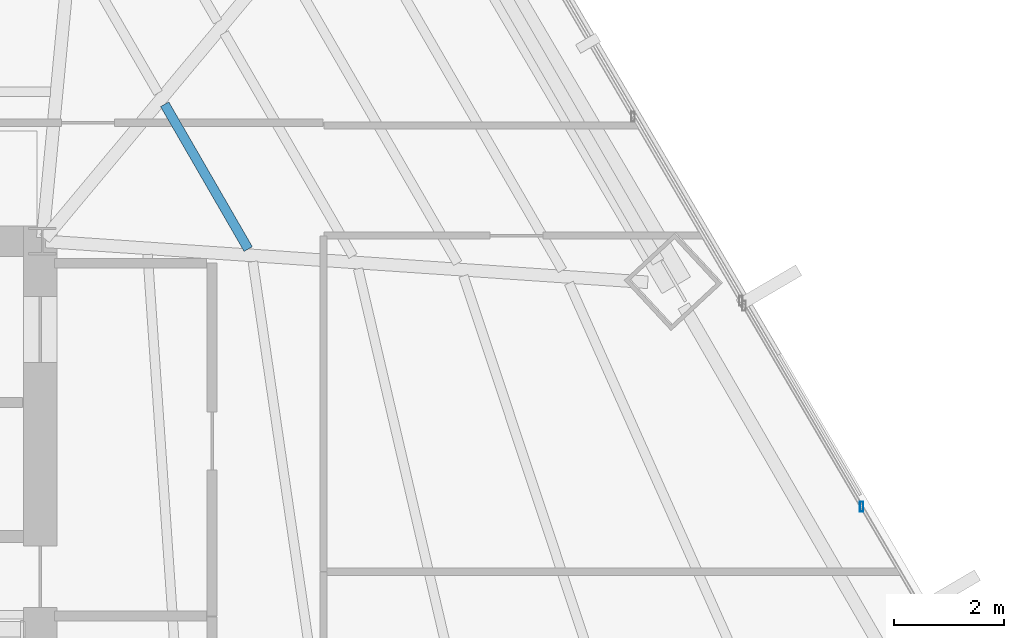
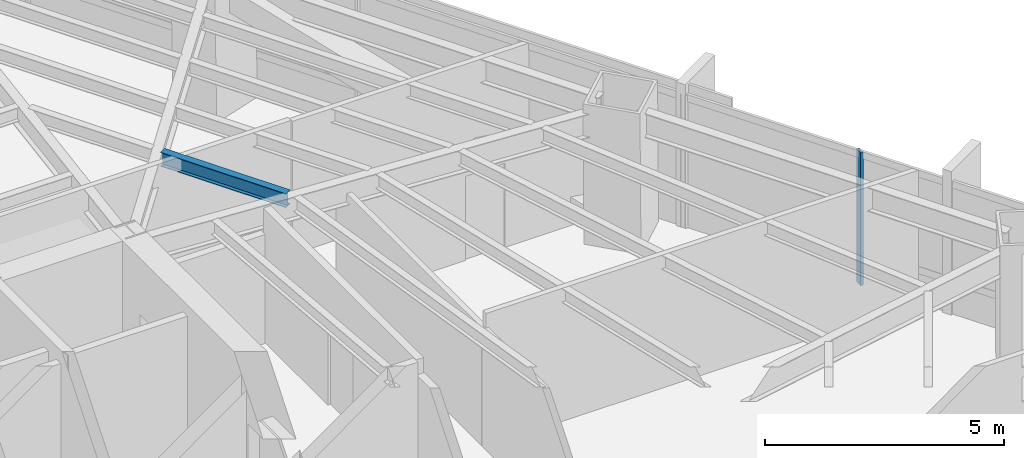
# One storey, part 18 of 33: 1 beam, 1 member, 1 element without a shape of its own.
"""IFC4 building model written with IfcOpenShell, lengths in metres."""

from ifc_helpers import new_model, si_unit, direction, frame, origin, origin_2d, place, context, subcontext, project, spatial, hollow_rectangle, i_section, extrude, source, transform, mapped, material, material_profile, profile_set, type_object, type_shapes, element, aggregate, save


model = new_model("IFC4")

# Units and contexts
model_context = context("Model", 3, precision=1e-05, world=origin(), true_north=direction((0.0, 1.0)))
body_context = subcontext(model_context, "Body", "Model", "MODEL_VIEW")
ifc_project = project(units=[si_unit("LENGTHUNIT", "METRE"), si_unit("AREAUNIT", "SQUARE_METRE"), si_unit("VOLUMEUNIT", "CUBIC_METRE"), si_unit("PLANEANGLEUNIT", "RADIAN"), si_unit("MASSUNIT", "GRAM", prefix="KILO")], contexts=[model_context])

# Site, building, storey
site_placement = place(None, origin())
site = spatial("IfcSite", under=ifc_project, at=site_placement, CompositionType="ELEMENT")
building_placement = place(site_placement, origin())
building = spatial("IfcBuilding", under=site, at=building_placement, Name="Caelisora Broadcast Tower", CompositionType="ELEMENT")
storey_placement = place(building_placement, frame((0.0, 0.0, 34.89990234375)))
storey = spatial("IfcBuildingStorey", under=building, at=storey_placement, Name="L08", CompositionType="ELEMENT", Elevation=34.89990234375)

# Beam
ifc_material_1 = material(Name="Steel Grade 350 (AS/NZS 3679.1)", Category="steel")
ifc_material_profile_1 = material_profile(ifc_material_1, i_section(OverallWidth=0.172119140625, OverallDepth=0.358642578125, WebThickness=0.008056640625, FlangeThickness=0.012939453125, at=origin_2d()), Name="Steel Grade 350 (AS/NZS 3679.1)")
ifc_profile_set_1 = profile_set([ifc_material_profile_1], Name="Steel Grade 350 (AS/NZS 3679.1)")
beam_type = type_object("IfcBeamType", Name="SB02", PredefinedType="JOIST", material=ifc_profile_set_1)
shared_shape_1 = source(origin(), body_context, "Body", "SweptSolid", [
    extrude(i_section(OverallWidth=0.172119140625, OverallDepth=0.358642578125, WebThickness=0.008056640625, FlangeThickness=0.012939453125, at=origin_2d()), origin(), (0.0, 0.0, 1.0), 3.03173828125),
])
type_shapes(beam_type, [shared_shape_1])
beam_placement = place(storey_placement, frame((49.23388671875, 29.85791015625, 3.220703125), z_axis=(-0.500010581911, 0.866019294229, 0.0), x_axis=(-0.866019294229, -0.500010581911, 0.0)))
element("IfcBeam", 1, at=beam_placement, inside=storey, type_object=beam_type, Name="L08 beam SB02", PredefinedType="JOIST", context=body_context, shape_type="MappedRepresentation", body=[
    mapped(shared_shape_1, transform((0.0, 0.0, 0.0), scale=1.0)),
])

# Curtain wall, member
ifc_material_2 = material(Name="Unitised Aluminium and Low-E Glass Curtain Wall", Category="glass")
curtain_wall_type = type_object("IfcCurtainWallType", Name="CW-Z1", PredefinedType="NOTDEFINED", material=ifc_material_2)
curtain_wall_placement = place(storey_placement, origin())
curtain_wall = element("IfcCurtainWall", 2, at=curtain_wall_placement, inside=storey, type_object=curtain_wall_type, Name="L08 curtain wall CW-Z1", PredefinedType="NOTDEFINED")
ifc_material_3 = material(Name="Aluminium 6063-T6 Anodised Terracotta Bronze", Category="aluminium")
ifc_material_profile_2 = material_profile(ifc_material_3, hollow_rectangle(XDim=0.06494140625, YDim=0.179931640625, WallThickness=0.00341796875, at=origin_2d()), Name="Aluminium 6063-T6 Anodised Terracotta Bronze")
ifc_profile_set_2 = profile_set([ifc_material_profile_2], Name="Aluminium 6063-T6 Anodised Terracotta Bronze")
member_type = type_object("IfcMemberType", Name="CWM-02", PredefinedType="MULLION", material=ifc_profile_set_2)
shared_shape_2 = source(origin(), body_context, "Body", "SweptSolid", [
    extrude(hollow_rectangle(XDim=0.06494140625, YDim=0.179931640625, WallThickness=0.00341796875, at=origin_2d()), origin(), (0.0, 0.0, 1.0), 3.400146484375),
])
type_shapes(member_type, [shared_shape_2])
member_placement = place(storey_placement, frame((60.364990234375, 25.181884765625, 0.0), z_axis=(0.0, 0.0, 1.0), x_axis=(1.0, 0.0, 0.0)))
member = element("IfcMember", 3, at=member_placement, type_object=member_type, Name="L08-CW-B03 mullion #1", PredefinedType="MULLION", context=body_context, shape_type="MappedRepresentation", body=[
    mapped(shared_shape_2, transform((0.0, 0.0, 0.0), scale=1.0)),
])
aggregate(curtain_wall, [member])

save(model, "model.ifc")
